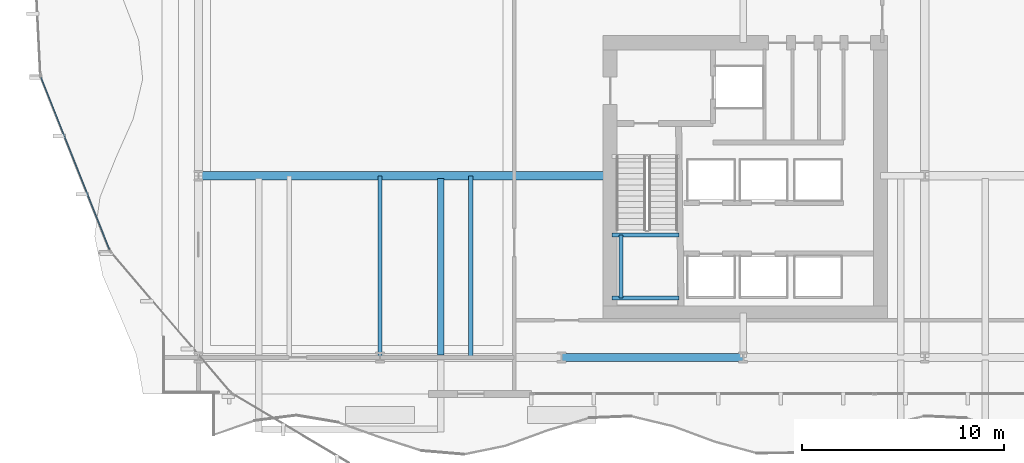
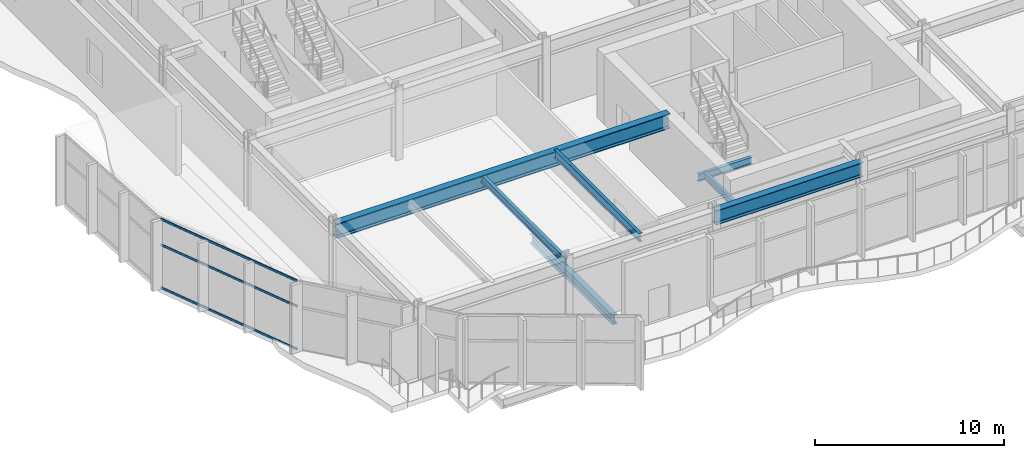
# One storey, part 4 of 29: 8 beams, 3 members, 1 element without a shape of its own.
"""IFC4 building model written with IfcOpenShell, lengths in metres."""

from ifc_helpers import new_model, si_unit, direction, frame, origin, origin_2d, place, context, subcontext, project, spatial, hollow_rectangle, i_section, extrude, material, layer, layer_set, material_profile, profile_set, type_object, element, aggregate, save


model = new_model("IFC4")

# Units and contexts
model_context = context("Model", 3, precision=1e-05, world=origin(), true_north=direction((0.0, 1.0)))
body_context = subcontext(model_context, "Body", "Model", "MODEL_VIEW")
ifc_project = project(units=[si_unit("LENGTHUNIT", "METRE"), si_unit("AREAUNIT", "SQUARE_METRE"), si_unit("VOLUMEUNIT", "CUBIC_METRE"), si_unit("PLANEANGLEUNIT", "RADIAN"), si_unit("MASSUNIT", "GRAM", prefix="KILO")], contexts=[model_context])

# Site, building, storey
site_placement = place(None, origin())
site = spatial("IfcSite", under=ifc_project, at=site_placement, CompositionType="ELEMENT")
building_placement = place(site_placement, origin())
building = spatial("IfcBuilding", under=site, at=building_placement, Name="Solvaryn Broadcast Tower", CompositionType="ELEMENT")
storey_placement = place(building_placement, frame((0.0, 0.0, 21.199951171875)))
storey = spatial("IfcBuildingStorey", under=building, at=storey_placement, Name="L04", CompositionType="ELEMENT", Elevation=21.199951171875)

# Beams
ifc_material_1 = material(Name="Steel ASTM A992 Grade 50", Category="steel")
ifc_material_profile_1 = material_profile(ifc_material_1, i_section(OverallWidth=0.323974609375, OverallDepth=0.611083984375, WebThickness=0.0126953125, FlangeThickness=0.01904296875, FilletRadius=0.014892578125, at=origin_2d()))
ifc_profile_set_1 = profile_set([ifc_material_profile_1], Name="Steel ASTM A992 Grade 50")
beam_type_1 = type_object("IfcBeamType", Name="BM-B1-W24X104", PredefinedType="BEAM", material=ifc_profile_set_1)
beam_1_placement = place(storey_placement, frame((21.0, 17.875, -0.62548828125), z_axis=(0.0, -1.0, 0.0), x_axis=(1.0, 0.0, 0.0)))
element("IfcBeam", 1, at=beam_1_placement, inside=storey, type_object=beam_type_1, Name="L04 Terrace Back-Span Beam X21.0", PredefinedType="BEAM", context=body_context, shape_type="SweptSolid", body=[
    extrude(i_section(OverallWidth=0.323974609375, OverallDepth=0.611083984375, WebThickness=0.0126953125, FlangeThickness=0.01904296875, FilletRadius=0.014892578125, at=origin_2d()), origin(), (0.0, 0.0, 1.0), 8.75),
])
ifc_material_2 = material(Name="Steel ASTM A992 Grade 50", Category="steel")
ifc_material_profile_2 = material_profile(ifc_material_2, i_section(OverallWidth=0.208984375, OverallDepth=0.532958984375, WebThickness=0.01025390625, FlangeThickness=0.015625, FilletRadius=0.013916015625, at=origin_2d()))
ifc_profile_set_2 = profile_set([ifc_material_profile_2], Name="Steel ASTM A992 Grade 50")
beam_type_2 = type_object("IfcBeamType", Name="BM-B3-W21X62", PredefinedType="BEAM", material=ifc_profile_set_2)
beam_2_placement = place(storey_placement, frame((22.5, 9.0, 4.213623046875), z_axis=(0.0, 1.0, 0.0), x_axis=(-1.0, 0.0, 0.0)))
element("IfcBeam", 2, at=beam_2_placement, inside=storey, type_object=beam_type_2, Name="L04 Studio Rigging Beam 3", PredefinedType="BEAM", context=body_context, shape_type="SweptSolid", body=[
    extrude(i_section(OverallWidth=0.208984375, OverallDepth=0.532958984375, WebThickness=0.01025390625, FlangeThickness=0.015625, FilletRadius=0.013916015625, at=origin_2d()), origin(), (0.0, 0.0, 1.0), 9.0),
])
ifc_material_3 = material(Name="Steel ASTM A992 Grade 50", Category="steel")
ifc_material_profile_3 = material_profile(ifc_material_3, i_section(OverallWidth=0.18994140625, OverallDepth=0.45703125, WebThickness=0.009033203125, FlangeThickness=0.014404296875, FilletRadius=0.011962890625, at=origin_2d()))
ifc_profile_set_3 = profile_set([ifc_material_profile_3], Name="Steel ASTM A992 Grade 50")
beam_type_3 = type_object("IfcBeamType", Name="BM-B4-W18X50", PredefinedType="BEAM", material=ifc_profile_set_3)
beam_3_placement = place(storey_placement, frame((18.0, 9.0, 4.213623046875), z_axis=(0.0, 1.0, 0.0), x_axis=(-1.0, 0.0, 0.0)))
element("IfcBeam", 3, at=beam_3_placement, inside=storey, type_object=beam_type_3, Name="L04 Studio Rigging Beam 2", PredefinedType="BEAM", context=body_context, shape_type="SweptSolid", body=[
    extrude(i_section(OverallWidth=0.18994140625, OverallDepth=0.45703125, WebThickness=0.009033203125, FlangeThickness=0.014404296875, FilletRadius=0.011962890625, at=origin_2d()), origin(), (0.0, 0.0, 1.0), 9.0),
])
for number, where, z_axis, x_axis, name in (
    (4, (29.5, 11.949951171875, 1.971435546875), (1.0, 0.0, 0.0), (0.0, 1.0, 0.0), "L04 ST3 Landing Support Beam 1A"),
    (5, (29.5, 15.070068359375, 1.971435546875), (1.0, 0.0, 0.0), (0.0, 1.0, 0.0), "L04 ST3 Landing Support Beam 1B"),
):
    element("IfcBeam", number, at=place(storey_placement, frame(where, z_axis=z_axis, x_axis=x_axis)), inside=storey, type_object=beam_type_3, Name=name, PredefinedType="BEAM", context=body_context, shape_type="SweptSolid", body=[
        extrude(i_section(OverallWidth=0.18994140625, OverallDepth=0.45703125, WebThickness=0.009033203125, FlangeThickness=0.014404296875, FilletRadius=0.011962890625, at=origin_2d()), origin(), (0.0, 0.0, 1.0), 3.320068359375),
    ])
beam_4_placement = place(storey_placement, frame((29.949951171875, 11.949951171875, 1.971435546875), z_axis=(0.0, 1.0, 0.0), x_axis=(-1.0, 0.0, 0.0)))
element("IfcBeam", 6, at=beam_4_placement, inside=storey, type_object=beam_type_3, Name="L04 ST3 Landing Cross Stringer 1C", PredefinedType="BEAM", context=body_context, shape_type="SweptSolid", body=[
    extrude(i_section(OverallWidth=0.18994140625, OverallDepth=0.45703125, WebThickness=0.009033203125, FlangeThickness=0.014404296875, FilletRadius=0.011962890625, at=origin_2d()), origin(), (0.0, 0.0, 1.0), 3.1201171875),
])
ifc_material_4 = material(Name="Steel ASTM A992 Grade 50", Category="steel")
ifc_material_profile_4 = material_profile(ifc_material_4, i_section(OverallWidth=0.423095703125, OverallDepth=0.947998046875, WebThickness=0.02392578125, FlangeThickness=0.042724609375, FilletRadius=0.02392578125, at=origin_2d()))
ifc_profile_set_4 = profile_set([ifc_material_profile_4], Name="Steel ASTM A992 Grade 50")
beam_type_4 = type_object("IfcBeamType", Name="BM-G1-W36X302", PredefinedType="BEAM", material=ifc_profile_set_4)
beam_5_placement = place(storey_placement, frame((9.0, 18.0, 4.006103515625), z_axis=(1.0, 0.0, 0.0), x_axis=(0.0, 1.0, 0.0)))
element("IfcBeam", 7, at=beam_5_placement, inside=storey, type_object=beam_type_4, Name="L04 Broadcast Studio Clear-Span Girder", PredefinedType="BEAM", context=body_context, shape_type="SweptSolid", body=[
    extrude(i_section(OverallWidth=0.423095703125, OverallDepth=0.947998046875, WebThickness=0.02392578125, FlangeThickness=0.042724609375, FilletRadius=0.02392578125, at=origin_2d()), origin(), (0.0, 0.0, 1.0), 20.39990234375),
])
ifc_material_5 = material(Name="Steel ASTM A992 Grade 50", Category="steel")
ifc_material_profile_5 = material_profile(ifc_material_5, i_section(OverallWidth=0.41796875, OverallDepth=0.927001953125, WebThickness=0.019287109375, FlangeThickness=0.031982421875, FilletRadius=0.02392578125, at=origin_2d()))
ifc_profile_set_5 = profile_set([ifc_material_profile_5], Name="Steel ASTM A992 Grade 50")
beam_type_5 = type_object("IfcBeamType", Name="BM-G2-W36X231", PredefinedType="BEAM", material=ifc_profile_set_5)
beam_6_placement = place(storey_placement, frame((27.0, 9.0, 4.0166015625), z_axis=(1.0, 0.0, 0.0), x_axis=(0.0, 1.0, 0.0)))
element("IfcBeam", 8, at=beam_6_placement, inside=storey, type_object=beam_type_5, Name="L04 Primary Beam X (27-36 @ Y=9)", PredefinedType="BEAM", context=body_context, shape_type="SweptSolid", body=[
    extrude(i_section(OverallWidth=0.41796875, OverallDepth=0.927001953125, WebThickness=0.019287109375, FlangeThickness=0.031982421875, FilletRadius=0.02392578125, at=origin_2d()), origin(), (0.0, 0.0, 1.0), 9.0),
])

# Curtain wall, members
ifc_material_6 = material(Name="Aluminium and Terracotta Unitised Curtain Wall", Category="masonry")
ifc_layer = layer(ifc_material_6, 0.219970703125)
ifc_layer_set = layer_set([ifc_layer], Name="CW-SYS1-PODIUM")
curtain_wall_type = type_object("IfcCurtainWallType", Name="CW-SYS1-PODIUM", PredefinedType="NOTDEFINED", material=ifc_layer_set)
curtain_wall_placement = place(storey_placement, origin())
curtain_wall = element("IfcCurtainWall", 9, at=curtain_wall_placement, inside=storey, type_object=curtain_wall_type, Name="L04 Podium Curtain Wall DC2", PredefinedType="NOTDEFINED")
ifc_material_7 = material(Name="Anodised Aluminium 6063-T6", Category="aluminium")
ifc_material_profile_6 = material_profile(ifc_material_7, hollow_rectangle(XDim=0.06494140625, YDim=0.14990234375, WallThickness=0.00390625, InnerFilletRadius=0.00390625, OuterFilletRadius=0.008056640625, at=origin_2d()))
ifc_profile_set_6 = profile_set([ifc_material_profile_6], Name="Anodised Aluminium 6063-T6")
member_type = type_object("IfcMemberType", Name="CW-TRN-150", PredefinedType="USERDEFINED", material=ifc_profile_set_6)
member_1_placement = place(storey_placement, frame((1.192138671875, 22.892333984375, 0.030029296875), z_axis=(0.369360331752, -0.929286255859, 0.0), x_axis=(0.929286255859, 0.369360331752, 0.0)))
member_1 = element("IfcMember", 10, at=member_1_placement, type_object=member_type, Name="CWS1 transom 1.1", ObjectType="TRANSOM", PredefinedType="USERDEFINED", context=body_context, shape_type="SweptSolid", body=[
    extrude(hollow_rectangle(XDim=0.06494140625, YDim=0.14990234375, WallThickness=0.00390625, InnerFilletRadius=0.00390625, OuterFilletRadius=0.008056640625, at=origin_2d()), origin(), (0.0, 0.0, 1.0), 9.188232421875),
])
member_2_placement = place(storey_placement, frame((1.192138671875, 22.892333984375, 2.800048828125), z_axis=(0.369360331752, -0.929286255859, 0.0), x_axis=(0.929286255859, 0.369360331752, 0.0)))
member_2 = element("IfcMember", 11, at=member_2_placement, type_object=member_type, Name="CWS1 transom 1.2", ObjectType="TRANSOM", PredefinedType="USERDEFINED", context=body_context, shape_type="SweptSolid", body=[
    extrude(hollow_rectangle(XDim=0.06494140625, YDim=0.14990234375, WallThickness=0.00390625, InnerFilletRadius=0.00390625, OuterFilletRadius=0.008056640625, at=origin_2d()), origin(), (0.0, 0.0, 1.0), 9.188232421875),
])
member_3_placement = place(storey_placement, frame((1.192138671875, 22.892333984375, 4.449951171875), z_axis=(0.369360331752, -0.929286255859, 0.0), x_axis=(0.929286255859, 0.369360331752, 0.0)))
member_3 = element("IfcMember", 12, at=member_3_placement, type_object=member_type, Name="CWS1 transom 1.3", ObjectType="TRANSOM", PredefinedType="USERDEFINED", context=body_context, shape_type="SweptSolid", body=[
    extrude(hollow_rectangle(XDim=0.06494140625, YDim=0.14990234375, WallThickness=0.00390625, InnerFilletRadius=0.00390625, OuterFilletRadius=0.008056640625, at=origin_2d()), origin(), (0.0, 0.0, 1.0), 9.188232421875),
])
aggregate(curtain_wall, [member_1, member_2, member_3])

save(model, "model.ifc")
